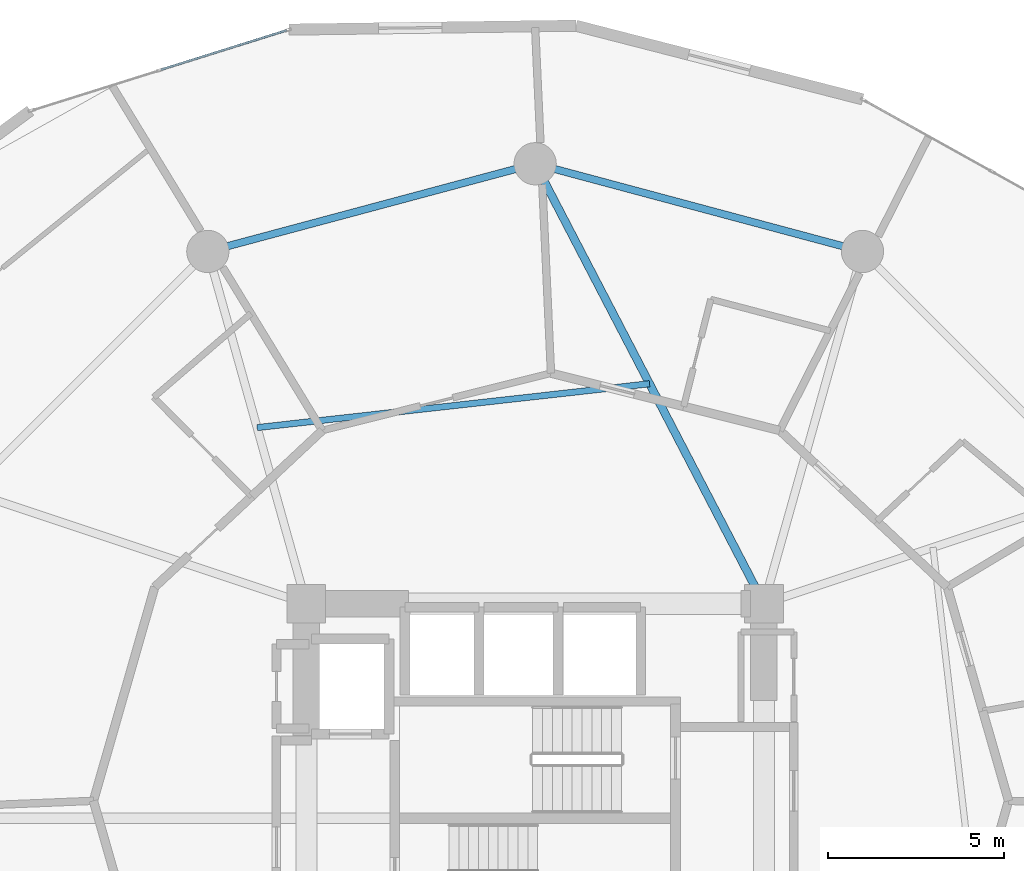
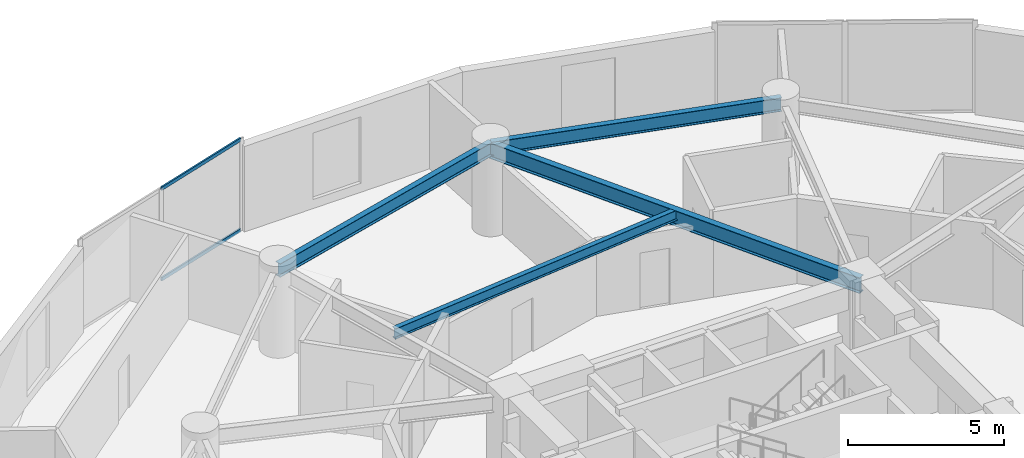
# One storey, part 12 of 22: 4 beams, 2 members, 1 element without a shape of its own.
"""IFC4 building model written with IfcOpenShell, lengths in metres."""

from ifc_helpers import new_model, si_unit, direction, frame, origin, origin_2d, place, context, subcontext, project, spatial, hollow_rectangle, i_section, extrude, source, transform, mapped, material, layer, layer_set, material_profile, profile_set, type_object, element, aggregate, save


model = new_model("IFC4")

# Units and contexts
model_context = context("Model", 3, precision=1e-05, world=origin(), true_north=direction((0.0, 1.0)))
body_context = subcontext(model_context, "Body", "Model", "MODEL_VIEW")
ifc_project = project(units=[si_unit("LENGTHUNIT", "METRE"), si_unit("AREAUNIT", "SQUARE_METRE"), si_unit("VOLUMEUNIT", "CUBIC_METRE"), si_unit("PLANEANGLEUNIT", "RADIAN"), si_unit("MASSUNIT", "GRAM", prefix="KILO")], contexts=[model_context])

# Site, building, storey
site_placement = place(None, origin())
site = spatial("IfcSite", under=ifc_project, at=site_placement, CompositionType="ELEMENT")
building_placement = place(site_placement, origin())
building = spatial("IfcBuilding", under=site, at=building_placement, Name="Solvirekh Grand Hotel", CompositionType="ELEMENT")
storey_placement = place(building_placement, frame((0.0, 0.0, 78.800048828125)))
storey = spatial("IfcBuildingStorey", under=building, at=storey_placement, Name="L19", CompositionType="ELEMENT", Elevation=78.800048828125)

# Beams
ifc_material_1 = material(Name="Steel S355", Category="steel")
ifc_material_profile_1 = material_profile(ifc_material_1, i_section(OverallWidth=0.22802734375, OverallDepth=0.616943359375, WebThickness=0.012939453125, FlangeThickness=0.02001953125, FilletRadius=0.014892578125, at=origin_2d()), Name="W610X140")
ifc_profile_set_1 = profile_set([ifc_material_profile_1], Name="Steel S355")
beam_type_1 = type_object("IfcBeamType", Name="Beam_Radial_W610", PredefinedType="BEAM", material=ifc_profile_set_1)
beam_1_placement = place(storey_placement, frame((6.5, 6.10009765625, 3.031982421875), z_axis=(-0.461352736642, 0.887216801235, 0.0), x_axis=(-0.887216801235, -0.461352736642, 0.0)))
element("IfcBeam", 1, at=beam_1_placement, inside=storey, type_object=beam_type_1, Name="L19 radial floor beam R04", PredefinedType="BEAM", context=body_context, shape_type="SweptSolid", body=[
    extrude(i_section(OverallWidth=0.22802734375, OverallDepth=0.616943359375, WebThickness=0.012939453125, FlangeThickness=0.02001953125, FilletRadius=0.014892578125, at=origin_2d()), origin(), (0.0, 0.0, 1.0), 14.089111328125),
])
ifc_material_profile_2 = material_profile(ifc_material_1, i_section(OverallWidth=0.177978515625, OverallDepth=0.406982421875, WebThickness=0.008056640625, FlangeThickness=0.011962890625, FilletRadius=0.011962890625, at=origin_2d()), Name="W410X60")
ifc_profile_set_2 = profile_set([ifc_material_profile_2], Name="Steel S355")
beam_type_2 = type_object("IfcBeamType", Name="Joist_Floor_W410", PredefinedType="JOIST", material=ifc_profile_set_2)
beam_2_placement = place(storey_placement, frame((3.25, 12.35009765625, 3.135986328125), z_axis=(-0.99381294191, -0.111066810937, 0.0), x_axis=(0.111066810937, -0.99381294191, 0.0)))
element("IfcBeam", 2, at=beam_2_placement, inside=storey, type_object=beam_type_2, Name="L19 secondary composite floor joist 4", PredefinedType="JOIST", context=body_context, shape_type="SweptSolid", body=[
    extrude(i_section(OverallWidth=0.177978515625, OverallDepth=0.406982421875, WebThickness=0.008056640625, FlangeThickness=0.011962890625, FilletRadius=0.011962890625, at=origin_2d()), origin(), (0.0, 0.0, 1.0), 11.21923828125),
])
ifc_material_profile_3 = material_profile(ifc_material_1, i_section(OverallWidth=0.208984375, OverallDepth=0.532958984375, WebThickness=0.010009765625, FlangeThickness=0.014892578125, FilletRadius=0.013916015625, at=origin_2d()), Name="W530X92")
ifc_profile_set_3 = profile_set([ifc_material_profile_3], Name="Steel S355")
beam_type_3 = type_object("IfcBeamType", Name="Spandrel_Ring_W530", PredefinedType="SPANDREL", material=ifc_profile_set_3)
for number, where, z_axis, x_axis, name in (
    (3, (9.300048828125, 16.10791015625, 3.073974609375), (-0.965919414426, 0.258842973314, 0.0), (-0.258842973314, -0.965919414426, 0.0), "L19 perimeter spandrel beam 3"),
    (4, (0.0, 18.60009765625, 3.073974609375), (-0.965919414426, -0.258842973314, 0.0), (0.258842973314, -0.965919414426, 0.0), "L19 perimeter spandrel beam 4"),
):
    element("IfcBeam", number, at=place(storey_placement, frame(where, z_axis=z_axis, x_axis=x_axis)), inside=storey, type_object=beam_type_3, Name=name, PredefinedType="SPANDREL", context=body_context, shape_type="SweptSolid", body=[
        extrude(i_section(OverallWidth=0.208984375, OverallDepth=0.532958984375, WebThickness=0.010009765625, FlangeThickness=0.014892578125, FilletRadius=0.013916015625, at=origin_2d()), origin(), (0.0, 0.0, 1.0), 9.628173828125),
    ])

# Curtain wall, members
ifc_material_2 = material(Name="Anodized Bronze Aluminium 6063-T6", Category="aluminium")
ifc_layer = layer(ifc_material_2, 0.18994140625)
ifc_layer_set = layer_set([ifc_layer], Name="Anodized Bronze Aluminium 6063-T6")
curtain_wall_type = type_object("IfcCurtainWallType", Name="CW_Sys2_LowZoneFlushBronzeCW", PredefinedType="NOTDEFINED", material=ifc_layer_set)
curtain_wall_placement = place(storey_placement, origin())
curtain_wall = element("IfcCurtainWall", 5, at=curtain_wall_placement, inside=storey, type_object=curtain_wall_type, Name="L19 unitised bronze-glass curtain wall CW-L19-C08", PredefinedType="NOTDEFINED")
ifc_material_profile_4 = material_profile(ifc_material_2, hollow_rectangle(XDim=0.06005859375, YDim=0.135009765625, WallThickness=0.00390625, at=origin_2d()), Name="ALU RHS 135X60X4")
ifc_profile_set_4 = profile_set([ifc_material_profile_4], Name="Anodized Bronze Aluminium 6063-T6")
member_type = type_object("IfcMemberType", Name="CWTransom_Sys2", PredefinedType="USERDEFINED", material=ifc_profile_set_4)
shared_shape = source(origin(), body_context, "Body", "SweptSolid", [
    extrude(hollow_rectangle(XDim=0.06005859375, YDim=0.135009765625, WallThickness=0.00390625, at=origin_2d()), origin(), (0.0, 0.0, 1.0), 3.74755859375),
])
member_1_placement = place(storey_placement, frame((-7.057861328125, 22.39306640625, 0.030029296875), z_axis=(-0.954161809981, -0.299291230032, 0.0), x_axis=(0.299291230032, -0.954161809981, 0.0)))
member_1 = element("IfcMember", 6, at=member_1_placement, type_object=member_type, Name="U02 transom 1.1", ObjectType="TRANSOM", PredefinedType="USERDEFINED", context=body_context, shape_type="MappedRepresentation", body=[
    mapped(shared_shape, transform((0.0, 0.0, 0.0), x_axis=(1.0, 0.0, 0.0), y_axis=(0.0, 1.0, 0.0), z_axis=(0.0, 0.0, 1.0), scale=1.0)),
])
member_2_placement = place(storey_placement, frame((-7.057861328125, 22.39306640625, 3.570068359375), z_axis=(-0.954161809981, -0.299291230032, 0.0), x_axis=(0.299291230032, -0.954161809981, 0.0)))
member_2 = element("IfcMember", 7, at=member_2_placement, type_object=member_type, Name="U02 transom 1.2", ObjectType="TRANSOM", PredefinedType="USERDEFINED", context=body_context, shape_type="MappedRepresentation", body=[
    mapped(shared_shape, transform((0.0, 0.0, 0.0), x_axis=(1.0, 0.0, 0.0), y_axis=(0.0, 1.0, 0.0), z_axis=(0.0, 0.0, 1.0), scale=1.0)),
])
aggregate(curtain_wall, [member_1, member_2])

save(model, "model.ifc")
